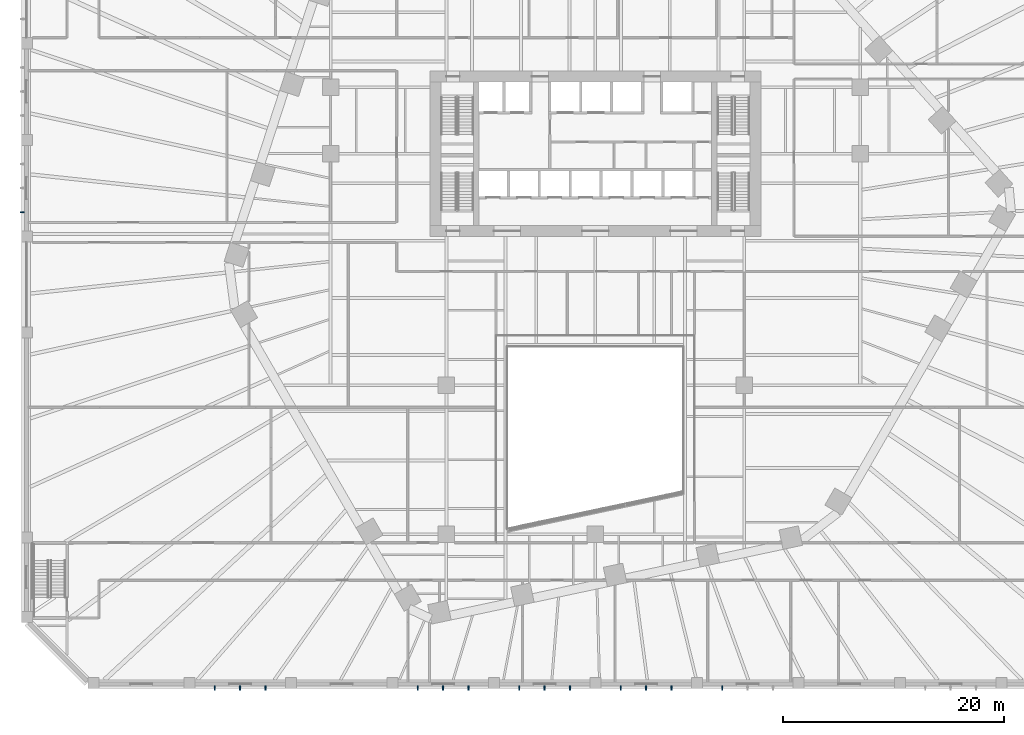
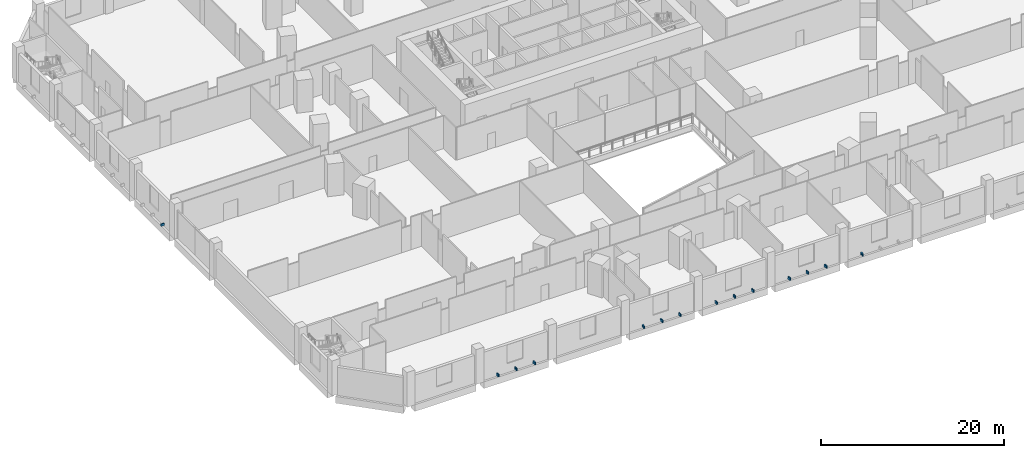
# One storey, part 24 of 33: 14 discrete accessories.
"""IFC4 building model written with IfcOpenShell, lengths in metres."""

from ifc_helpers import new_model, si_unit, direction, frame, origin, origin_2d, place, context, subcontext, project, spatial, rectangle, extrude, material, type_object, element, save


model = new_model("IFC4")

# Units and contexts
model_context = context("Model", 3, precision=1e-05, world=origin(), true_north=direction((0.0, 1.0)))
body_context = subcontext(model_context, "Body", "Model", "MODEL_VIEW")
ifc_project = project(units=[si_unit("LENGTHUNIT", "METRE"), si_unit("AREAUNIT", "SQUARE_METRE"), si_unit("VOLUMEUNIT", "CUBIC_METRE"), si_unit("PLANEANGLEUNIT", "RADIAN"), si_unit("MASSUNIT", "GRAM", prefix="KILO")], contexts=[model_context])

# Site, building, storey
site_placement = place(None, origin())
site = spatial("IfcSite", under=ifc_project, at=site_placement, CompositionType="ELEMENT")
building_placement = place(site_placement, origin())
building = spatial("IfcBuilding", under=site, at=building_placement, Name="Isthmus Gate Tower", CompositionType="ELEMENT")
storey_placement = place(building_placement, frame((0.0, 0.0, 31.5)))
storey = spatial("IfcBuildingStorey", under=building, at=storey_placement, Name="L05", CompositionType="ELEMENT", Elevation=31.5)

# Discrete accessories
ifc_material = material(Name="Structural steel ASTM A572 Gr 50, white paint system", Category="steel")
discrete_accessory_type = type_object("IfcDiscreteAccessoryType", Name="FIN BRACKET 120 X 400 X 300", PredefinedType="BRACKET", material=ifc_material)
for number, where, z_axis, x_axis, name in (
    (1, (-34.5, -40.949951171875, -0.14990234375), (0.0, 0.0, 1.0), (0.0, -1.0, 0.0), "FIN BRACKET"),
    (2, (-32.199951171875, -40.949951171875, -0.14990234375), (0.0, 0.0, 1.0), (0.0, -1.0, 0.0), "FIN BRACKET"),
    (3, (-29.89990234375, -40.949951171875, -0.14990234375), (0.0, 0.0, 1.0), (0.0, -1.0, 0.0), "FIN BRACKET"),
    (4, (-16.10009765625, -40.949951171875, -0.14990234375), (0.0, 0.0, 1.0), (0.0, -1.0, 0.0), "FIN BRACKET"),
    (5, (-13.800048828125, -40.949951171875, -0.14990234375), (0.0, 0.0, 1.0), (0.0, -1.0, 0.0), "FIN BRACKET"),
    (6, (-11.5, -40.949951171875, -0.14990234375), (0.0, 0.0, 1.0), (0.0, -1.0, 0.0), "FIN BRACKET"),
    (7, (-6.89990234375, -40.949951171875, -0.14990234375), (0.0, 0.0, 1.0), (0.0, -1.0, 0.0), "FIN BRACKET"),
    (8, (-4.60009765625, -40.949951171875, -0.14990234375), (0.0, 0.0, 1.0), (0.0, -1.0, 0.0), "FIN BRACKET"),
    (9, (-2.300048828125, -40.949951171875, -0.14990234375), (0.0, 0.0, 1.0), (0.0, -1.0, 0.0), "FIN BRACKET"),
    (10, (2.300048828125, -40.949951171875, -0.14990234375), (0.0, 0.0, 1.0), (0.0, -1.0, 0.0), "FIN BRACKET"),
    (11, (4.60009765625, -40.949951171875, -0.14990234375), (0.0, 0.0, 1.0), (0.0, -1.0, 0.0), "FIN BRACKET"),
    (12, (6.89990234375, -40.949951171875, -0.14990234375), (0.0, 0.0, 1.0), (0.0, -1.0, 0.0), "FIN BRACKET"),
    (13, (11.5, -40.949951171875, -0.14990234375), (0.0, 0.0, 1.0), (0.0, -1.0, 0.0), "FIN BRACKET"),
    (14, (-51.949951171875, 2.1875, -0.14990234375), (0.0, 0.0, 1.0), (-1.0, 0.0, 0.0), "FIN BRACKET"),
):
    element("IfcDiscreteAccessory", number, at=place(storey_placement, frame(where, z_axis=z_axis, x_axis=x_axis)), inside=storey, type_object=discrete_accessory_type, Name=name, PredefinedType="BRACKET", context=body_context, shape_type="SweptSolid", body=[
        extrude(rectangle(XDim=0.39990234375, YDim=0.1201171875, at=origin_2d()), origin(), (0.0, 0.0, 1.0), 0.300048828125),
    ])

save(model, "model.ifc")
